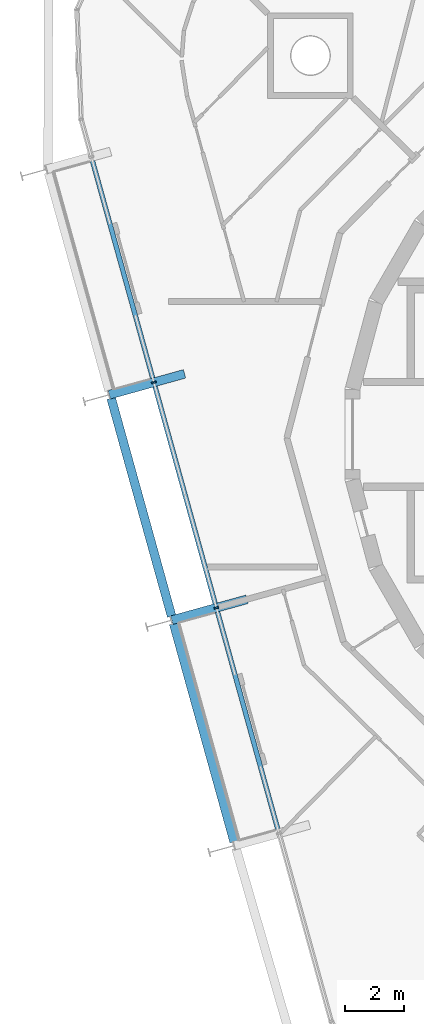
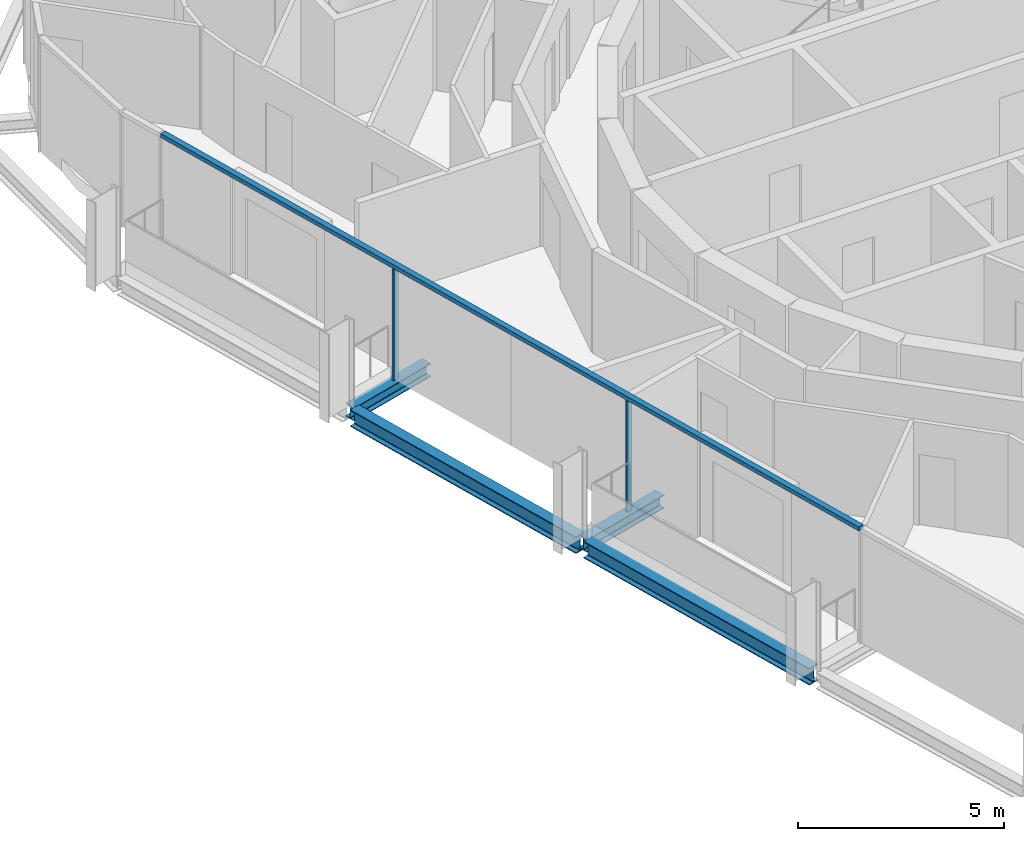
# One storey, part 3 of 15: 4 beams, 3 members, 1 element without a shape of its own.
"""IFC4 building model written with IfcOpenShell, lengths in metres."""

from ifc_helpers import new_model, si_unit, direction, frame, origin, origin_2d, place, context, subcontext, project, spatial, rectangle, i_section, extrude, material, layer, layer_set, material_profile, profile_set, type_object, element, aggregate, save


model = new_model("IFC4")

# Units and contexts
model_context = context("Model", 3, precision=1e-05, world=origin(), true_north=direction((0.0, 1.0)))
body_context = subcontext(model_context, "Body", "Model", "MODEL_VIEW")
ifc_project = project(units=[si_unit("LENGTHUNIT", "METRE"), si_unit("AREAUNIT", "SQUARE_METRE"), si_unit("VOLUMEUNIT", "CUBIC_METRE"), si_unit("PLANEANGLEUNIT", "RADIAN"), si_unit("MASSUNIT", "GRAM", prefix="KILO")], contexts=[model_context])

# Site, building, storey
site_placement = place(None, origin())
site = spatial("IfcSite", under=ifc_project, at=site_placement, CompositionType="ELEMENT")
building_placement = place(site_placement, origin())
building = spatial("IfcBuilding", under=site, at=building_placement, Name="Spindle Arch Residences", CompositionType="ELEMENT")
storey_placement = place(building_placement, frame((0.0, 0.0, 322.699951171875)))
storey = spatial("IfcBuildingStorey", under=building, at=storey_placement, Name="L83", CompositionType="ELEMENT", Elevation=322.699951171875)

# Curtain wall, members
ifc_material_1 = material(Name="Aluminium bronze unitised frame with tinted glass", Category="aluminium")
ifc_layer = layer(ifc_material_1, 0.159912109375)
ifc_layer_set = layer_set([ifc_layer], Name="CW-C typical residential unitised wall")
curtain_wall_type = type_object("IfcCurtainWallType", Name="CW-C typical residential unitised wall", PredefinedType="NOTDEFINED", material=ifc_layer_set)
curtain_wall_placement = place(storey_placement, origin())
curtain_wall = element("IfcCurtainWall", 1, at=curtain_wall_placement, inside=storey, type_object=curtain_wall_type, Name="CW-C L83 run 4", PredefinedType="NOTDEFINED")
ifc_material_2 = material(Name="Aluminium bronze anodised mullion", Category="aluminium")
ifc_material_profile_1 = material_profile(ifc_material_2, rectangle(XDim=0.159912109375, YDim=0.06005859375, at=origin_2d()), Name="MU 60x160")
ifc_profile_set_1 = profile_set([ifc_material_profile_1], Name="Aluminium bronze anodised mullion")
member_type_1 = type_object("IfcMemberType", Name="Bronze mullion 60x160", PredefinedType="MULLION", material=ifc_profile_set_1)
member_1_placement = place(storey_placement, frame((-18.384521484375, 1.763671875, -0.3798828125), z_axis=(0.0, 0.0, 1.0), x_axis=(0.963630453209, 0.267238376078, 0.0)))
member_1 = element("IfcMember", 2, at=member_1_placement, type_object=member_type_1, Name="CW-C mullion 12", PredefinedType="MULLION", context=body_context, shape_type="SweptSolid", body=[
    extrude(rectangle(XDim=0.159912109375, YDim=0.06005859375, at=origin_2d()), origin(), (0.0, 0.0, 1.0), 3.309814453125),
])
member_2_placement = place(storey_placement, frame((-16.263916015625, -5.8828125, -0.3798828125), z_axis=(0.0, 0.0, 1.0), x_axis=(0.963630453209, 0.267238376078, 0.0)))
member_2 = element("IfcMember", 3, at=member_2_placement, type_object=member_type_1, Name="CW-C mullion 13", PredefinedType="MULLION", context=body_context, shape_type="SweptSolid", body=[
    extrude(rectangle(XDim=0.159912109375, YDim=0.06005859375, at=origin_2d()), origin(), (0.0, 0.0, 1.0), 3.309814453125),
])
ifc_material_3 = material(Name="Aluminium bronze anodised transom", Category="aluminium")
ifc_material_profile_2 = material_profile(ifc_material_3, rectangle(XDim=0.159912109375, YDim=0.1201171875, at=origin_2d()), Name="TR 120x160")
ifc_profile_set_2 = profile_set([ifc_material_profile_2], Name="Aluminium bronze anodised transom")
member_type_2 = type_object("IfcMemberType", Name="Bronze transom 120x160", PredefinedType="USERDEFINED", material=ifc_profile_set_2)
member_3_placement = place(storey_placement, frame((-20.4970703125, 9.38134765625, 2.989990234375), z_axis=(0.267238704816, -0.963630362041, 0.0), x_axis=(0.963630362041, 0.267238704816, 0.0)))
member_3 = element("IfcMember", 4, at=member_3_placement, type_object=member_type_2, Name="CW-C transom 00", ObjectType="TRANSOM", PredefinedType="USERDEFINED", context=body_context, shape_type="SweptSolid", body=[
    extrude(rectangle(XDim=0.159912109375, YDim=0.1201171875, at=origin_2d()), origin(), (0.0, 0.0, 1.0), 23.745361328125),
])
aggregate(curtain_wall, [member_3, member_1, member_2])

# Beams
ifc_material_4 = material(Name="Steel S460ML, intumescent coating R 120", Category="steel")
ifc_material_profile_3 = material_profile(ifc_material_4, i_section(OverallWidth=0.300048828125, OverallDepth=0.5, WebThickness=0.014404296875, FlangeThickness=0.028076171875, FilletRadius=0.027099609375, at=origin_2d()), Name="HEB 500")
ifc_profile_set_3 = profile_set([ifc_material_profile_3], Name="Steel S460ML, intumescent coating R 120")
beam_type_1 = type_object("IfcBeamType", Name="Exoskeleton edge beam HEB 500", PredefinedType="BEAM", material=ifc_profile_set_3)
beam_1_placement = place(storey_placement, frame((-19.833740234375, 1.226806640625, -0.6298828125), z_axis=(0.26723040865, -0.963632662737, 0.0), x_axis=(0.963632662737, 0.26723040865, 0.0)))
element("IfcBeam", 5, at=beam_1_placement, inside=storey, type_object=beam_type_1, Name="Exoskeleton edge beam 13", PredefinedType="BEAM", context=body_context, shape_type="SweptSolid", body=[
    extrude(i_section(OverallWidth=0.300048828125, OverallDepth=0.5, WebThickness=0.014404296875, FlangeThickness=0.028076171875, FilletRadius=0.027099609375, at=origin_2d()), origin(), (0.0, 0.0, 1.0), 7.675048828125),
])
beam_2_placement = place(storey_placement, frame((-17.71337890625, -6.419677734375, -0.6298828125), z_axis=(0.267259946058, -0.963624471064, 0.0), x_axis=(0.963624471064, 0.267259946058, 0.0)))
element("IfcBeam", 6, at=beam_2_placement, inside=storey, type_object=beam_type_1, Name="Exoskeleton edge beam 14", PredefinedType="BEAM", context=body_context, shape_type="SweptSolid", body=[
    extrude(i_section(OverallWidth=0.300048828125, OverallDepth=0.5, WebThickness=0.014404296875, FlangeThickness=0.028076171875, FilletRadius=0.027099609375, at=origin_2d()), origin(), (0.0, 0.0, 1.0), 7.67529296875),
])
ifc_material_5 = material(Name="Steel S460ML, intumescent coating R 120", Category="steel")
ifc_material_profile_4 = material_profile(ifc_material_5, i_section(OverallWidth=0.300048828125, OverallDepth=0.389892578125, WebThickness=0.010986328125, FlangeThickness=0.01904296875, FilletRadius=0.027099609375, at=origin_2d()), Name="HEA 400")
ifc_profile_set_4 = profile_set([ifc_material_profile_4], Name="Steel S460ML, intumescent coating R 120")
beam_type_2 = type_object("IfcBeamType", Name="Floor outrigger HEA 400", PredefinedType="BEAM", material=ifc_profile_set_4)
for number, where, z_axis, x_axis, name in (
    (7, (-19.8974609375, 1.343994140625, -0.574951171875), (0.963626057771, 0.267254225009, 0.0), (-0.267254225009, 0.963626057771, 0.0), "Floor outrigger 13"),
    (8, (-17.777099609375, -6.302490234375, -0.574951171875), (0.963626057771, 0.267254225009, 0.0), (-0.267254225009, 0.963626057771, 0.0), "Floor outrigger 14"),
):
    element("IfcBeam", number, at=place(storey_placement, frame(where, z_axis=z_axis, x_axis=x_axis)), inside=storey, type_object=beam_type_2, Name=name, PredefinedType="BEAM", context=body_context, shape_type="SweptSolid", body=[
        extrude(i_section(OverallWidth=0.300048828125, OverallDepth=0.389892578125, WebThickness=0.010986328125, FlangeThickness=0.01904296875, FilletRadius=0.027099609375, at=origin_2d()), origin(), (0.0, 0.0, 1.0), 2.650146484375),
    ])

save(model, "model.ifc")
